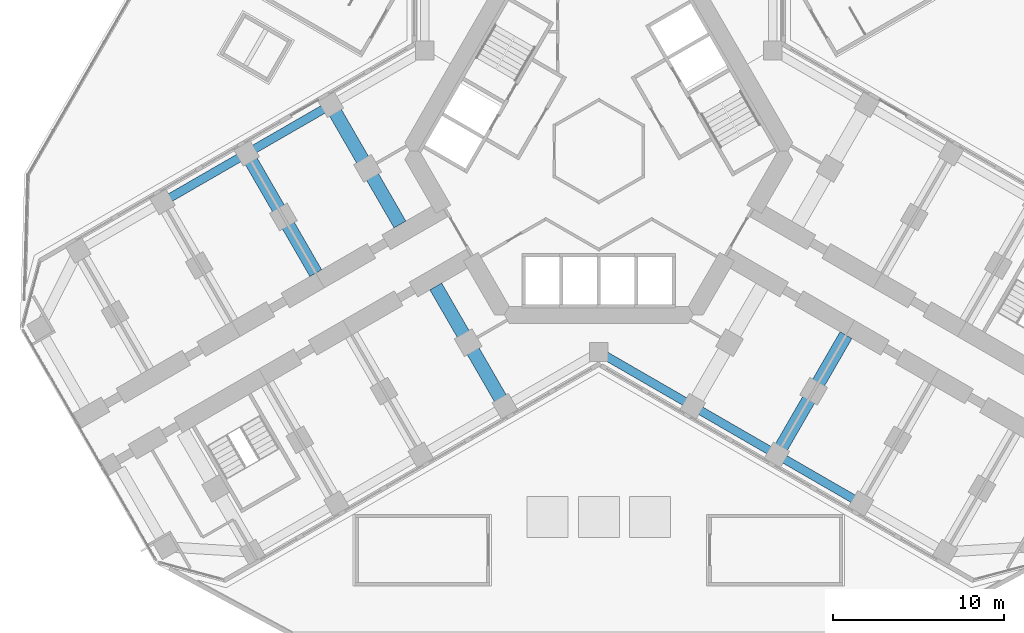
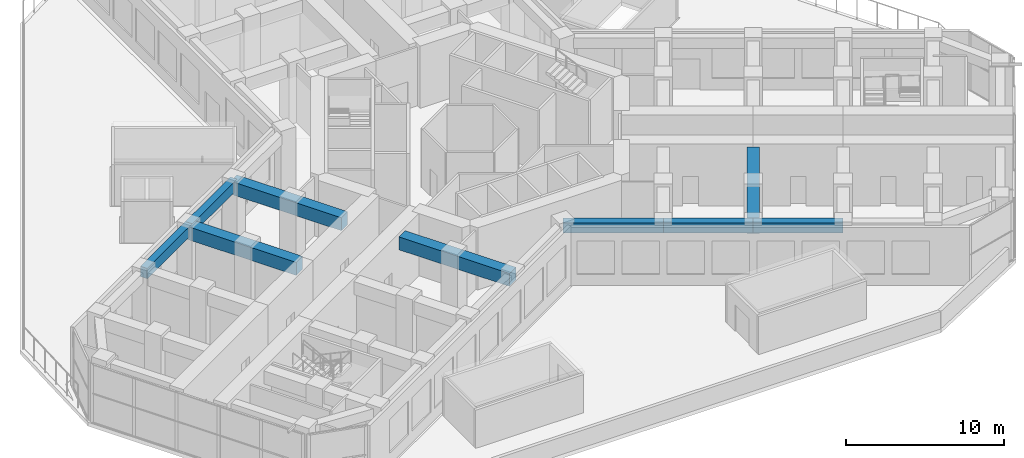
# One storey, part 3 of 18: 9 beams.
"""IFC4 building model written with IfcOpenShell, lengths in metres."""

from ifc_helpers import new_model, si_unit, direction, frame, origin, origin_2d, place, context, subcontext, project, spatial, rectangle, extrude, material, material_profile, profile_set, type_object, element, save


model = new_model("IFC4")

# Units and contexts
model_context = context("Model", 3, precision=1e-05, world=origin(), true_north=direction((0.0, 1.0)))
body_context = subcontext(model_context, "Body", "Model", "MODEL_VIEW")
ifc_project = project(units=[si_unit("LENGTHUNIT", "METRE"), si_unit("AREAUNIT", "SQUARE_METRE"), si_unit("VOLUMEUNIT", "CUBIC_METRE"), si_unit("PLANEANGLEUNIT", "RADIAN"), si_unit("MASSUNIT", "GRAM", prefix="KILO")], contexts=[model_context])

# Site, building, storey
site_placement = place(None, origin())
site = spatial("IfcSite", under=ifc_project, at=site_placement, CompositionType="ELEMENT")
building_placement = place(site_placement, origin())
building = spatial("IfcBuilding", under=site, at=building_placement, Name="Kosmar Iwan School Tower", CompositionType="ELEMENT")
storey_placement = place(building_placement, frame((0.0, 0.0, 20.39990234375)))
storey = spatial("IfcBuildingStorey", under=building, at=storey_placement, Name="L04", CompositionType="ELEMENT", Elevation=20.39990234375)

# Beams
ifc_material_1 = material(Name="Concrete C50/60", Category="concrete")
ifc_material_profile_1 = material_profile(ifc_material_1, rectangle(XDim=0.5, YDim=0.800048828125, at=origin_2d()), Name="RC 500x800")
ifc_profile_set_1 = profile_set([ifc_material_profile_1], Name="Concrete C50/60")
beam_type_1 = type_object("IfcBeamType", Name="RC edge beam 500x800", PredefinedType="BEAM", material=ifc_profile_set_1)
beam_1_placement = place(storey_placement, frame((-15.708740234375, 2.70849609375, 4.150146484375), z_axis=(-0.866025820012, -0.499999279071, 0.0), x_axis=(0.499999279071, -0.866025820012, 0.0)))
element("IfcBeam", 1, at=beam_1_placement, inside=storey, type_object=beam_type_1, Name="Edge beam BR2", PredefinedType="BEAM", context=body_context, shape_type="SweptSolid", body=[
    extrude(rectangle(XDim=0.5, YDim=0.800048828125, at=origin_2d()), origin(), (0.0, 0.0, 1.0), 5.7001953125),
])
beam_2_placement = place(storey_placement, frame((-20.645263671875, -0.1416015625, 4.150146484375), z_axis=(-0.866033658841, -0.49998570155, 0.0), x_axis=(0.49998570155, -0.866033658841, 0.0)))
element("IfcBeam", 2, at=beam_2_placement, inside=storey, type_object=beam_type_1, Name="Edge beam BR3", PredefinedType="BEAM", context=body_context, shape_type="SweptSolid", body=[
    extrude(rectangle(XDim=0.5, YDim=0.800048828125, at=origin_2d()), origin(), (0.0, 0.0, 1.0), 5.699951171875),
])
beam_3_placement = place(storey_placement, frame((0.0, -11.77783203125, 4.150146484375), z_axis=(0.866014293216, -0.500019243575, 0.0), x_axis=(0.500019243575, 0.866014293216, 0.0)))
element("IfcBeam", 3, at=beam_3_placement, inside=storey, type_object=beam_type_1, Name="Edge beam CR1", PredefinedType="BEAM", context=body_context, shape_type="SweptSolid", body=[
    extrude(rectangle(XDim=0.5, YDim=0.800048828125, at=origin_2d()), origin(), (0.0, 0.0, 1.0), 6.361083984375),
])
beam_4_placement = place(storey_placement, frame((5.5087890625, -14.95849609375, 4.150146484375), z_axis=(0.866033658841, -0.49998570155, 0.0), x_axis=(0.49998570155, 0.866033658841, 0.0)))
element("IfcBeam", 4, at=beam_4_placement, inside=storey, type_object=beam_type_1, Name="Edge beam CR2", PredefinedType="BEAM", context=body_context, shape_type="SweptSolid", body=[
    extrude(rectangle(XDim=0.5, YDim=0.800048828125, at=origin_2d()), origin(), (0.0, 0.0, 1.0), 5.699951171875),
])
beam_5_placement = place(storey_placement, frame((10.445068359375, -17.808349609375, 4.150146484375), z_axis=(0.866025820012, -0.499999279071, 0.0), x_axis=(0.499999279071, 0.866025820012, 0.0)))
element("IfcBeam", 5, at=beam_5_placement, inside=storey, type_object=beam_type_1, Name="Edge beam CR3", PredefinedType="BEAM", context=body_context, shape_type="SweptSolid", body=[
    extrude(rectangle(XDim=0.5, YDim=0.800048828125, at=origin_2d()), origin(), (0.0, 0.0, 1.0), 5.7001953125),
])
ifc_material_2 = material(Name="Concrete C50/60", Category="concrete")
ifc_material_profile_2 = material_profile(ifc_material_2, rectangle(XDim=0.800048828125, YDim=1.0, at=origin_2d()), Name="RC 800x1000")
ifc_profile_set_2 = profile_set([ifc_material_profile_2], Name="Concrete C50/60")
beam_type_2 = type_object("IfcBeamType", Name="RC transverse beam 800x1000", PredefinedType="BEAM", material=ifc_profile_set_2)
for number, where, z_axis, x_axis, name in (
    (6, (-5.5087890625, -14.95849609375, 4.050048828125), (-0.499999880539, 0.866025472755, 0.0), (-0.866025472755, -0.499999880539, 0.0), "Transverse beam BL1"),
    (7, (-15.708740234375, 2.70849609375, 4.050048828125), (0.499999880539, -0.866025472755, 0.0), (0.866025472755, 0.499999880539, 0.0), "Transverse beam BR1"),
):
    element("IfcBeam", number, at=place(storey_placement, frame(where, z_axis=z_axis, x_axis=x_axis)), inside=storey, type_object=beam_type_2, Name=name, PredefinedType="BEAM", context=body_context, shape_type="SweptSolid", body=[
        extrude(rectangle(XDim=0.800048828125, YDim=1.0, at=origin_2d()), origin(), (0.0, 0.0, 1.0), 8.10009765625),
    ])
for number, where, z_axis, x_axis, name in (
    (8, (-20.645263671875, -0.1416015625, 4.050048828125), (0.500012932018, -0.866017937352, 0.0), (0.866017937352, 0.500012932018, 0.0), "Transverse beam BR2"),
    (9, (10.445068359375, -17.808349609375, 4.050048828125), (0.500012932018, 0.866017937352, 0.0), (-0.866017937352, 0.500012932018, 0.0), "Transverse beam CR2"),
):
    element("IfcBeam", number, at=place(storey_placement, frame(where, z_axis=z_axis, x_axis=x_axis)), inside=storey, type_object=beam_type_2, Name=name, PredefinedType="BEAM", context=body_context, shape_type="SweptSolid", body=[
        extrude(rectangle(XDim=0.800048828125, YDim=1.0, at=origin_2d()), origin(), (0.0, 0.0, 1.0), 8.099853515625),
    ])

save(model, "model.ifc")
